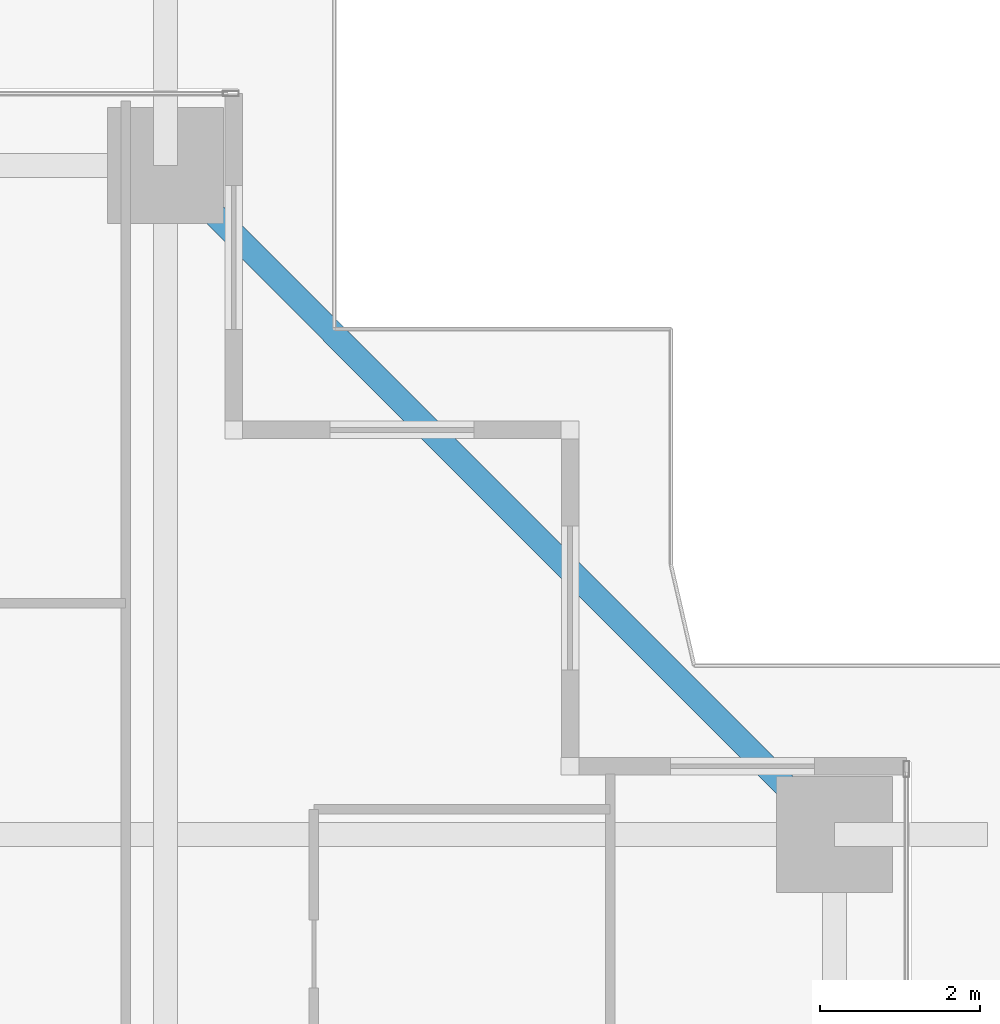
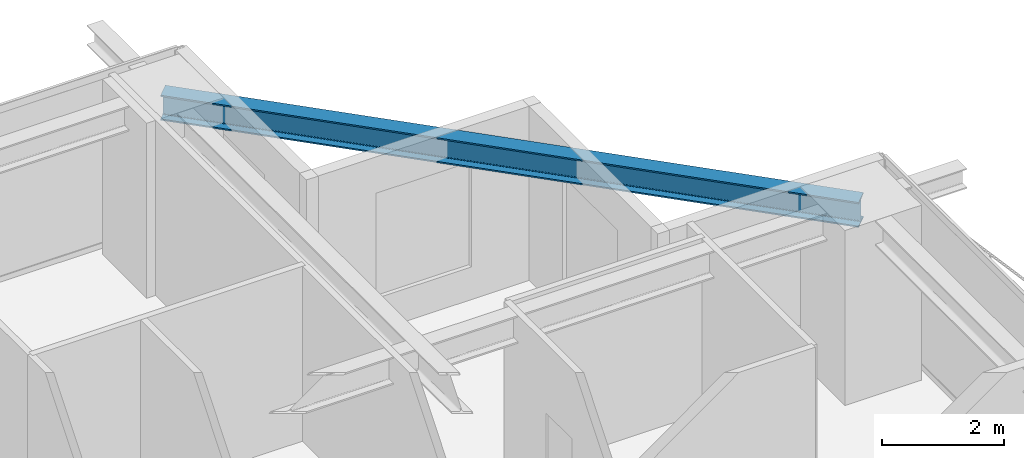
# One storey, part 24 of 38: 1 beam.
"""IFC4 building model written with IfcOpenShell, lengths in metres."""

from ifc_helpers import new_model, si_unit, direction, frame, origin, origin_2d, place, context, subcontext, project, spatial, i_section, extrude, source, transform, mapped, material, material_profile, profile_set, type_object, element, save


model = new_model("IFC4")

# Units and contexts
model_context = context("Model", 3, precision=1e-05, world=origin(), true_north=direction((0.0, 1.0)))
body_context = subcontext(model_context, "Body", "Model", "MODEL_VIEW")
ifc_project = project(units=[si_unit("LENGTHUNIT", "METRE"), si_unit("AREAUNIT", "SQUARE_METRE"), si_unit("VOLUMEUNIT", "CUBIC_METRE"), si_unit("PLANEANGLEUNIT", "RADIAN"), si_unit("MASSUNIT", "GRAM", prefix="KILO")], contexts=[model_context])

# Site, building, storey
site_placement = place(None, origin())
site = spatial("IfcSite", under=ifc_project, at=site_placement, CompositionType="ELEMENT")
building_placement = place(site_placement, origin())
building = spatial("IfcBuilding", under=site, at=building_placement, Name="Serunith Strait Residences", CompositionType="ELEMENT")
storey_placement = place(building_placement, frame((0.0, 0.0, 37.949951171875)))
storey = spatial("IfcBuildingStorey", under=building, at=storey_placement, Name="L08", CompositionType="ELEMENT", Elevation=37.949951171875)

# Beam
ifc_material = material(Name="Steel S355J2", Category="steel")
ifc_material_profile = material_profile(ifc_material, i_section(OverallWidth=0.300048828125, OverallDepth=0.5, WebThickness=0.014404296875, FlangeThickness=0.028076171875, FilletRadius=0.027099609375, at=origin_2d()), Name="HEB 500")
ifc_profile_set = profile_set([ifc_material_profile], Name="Steel S355J2")
beam_type = type_object("IfcBeamType", Name="BM-HEB500", PredefinedType="BEAM", material=ifc_profile_set)
shared_shape = source(origin(), body_context, "Body", "SweptSolid", [
    extrude(i_section(OverallWidth=0.300048828125, OverallDepth=0.5, WebThickness=0.014404296875, FlangeThickness=0.028076171875, FilletRadius=0.027099609375, at=origin_2d()), origin(), (0.0, 0.0, 1.0), 11.80859375),
])
beam_placement = place(storey_placement, frame((57.89990234375, 40.949951171875, 3.20703125), z_axis=(-0.707096443746, 0.707117118476, 0.0), x_axis=(-0.707117118476, -0.707096443746, 0.0)))
element("IfcBeam", 1, at=beam_placement, inside=storey, type_object=beam_type, Name="L08 Perimeter Ring Beam 08", PredefinedType="BEAM", context=body_context, shape_type="MappedRepresentation", body=[
    mapped(shared_shape, transform((0.0, 0.0, 0.0), scale=1.0)),
])

save(model, "model.ifc")
